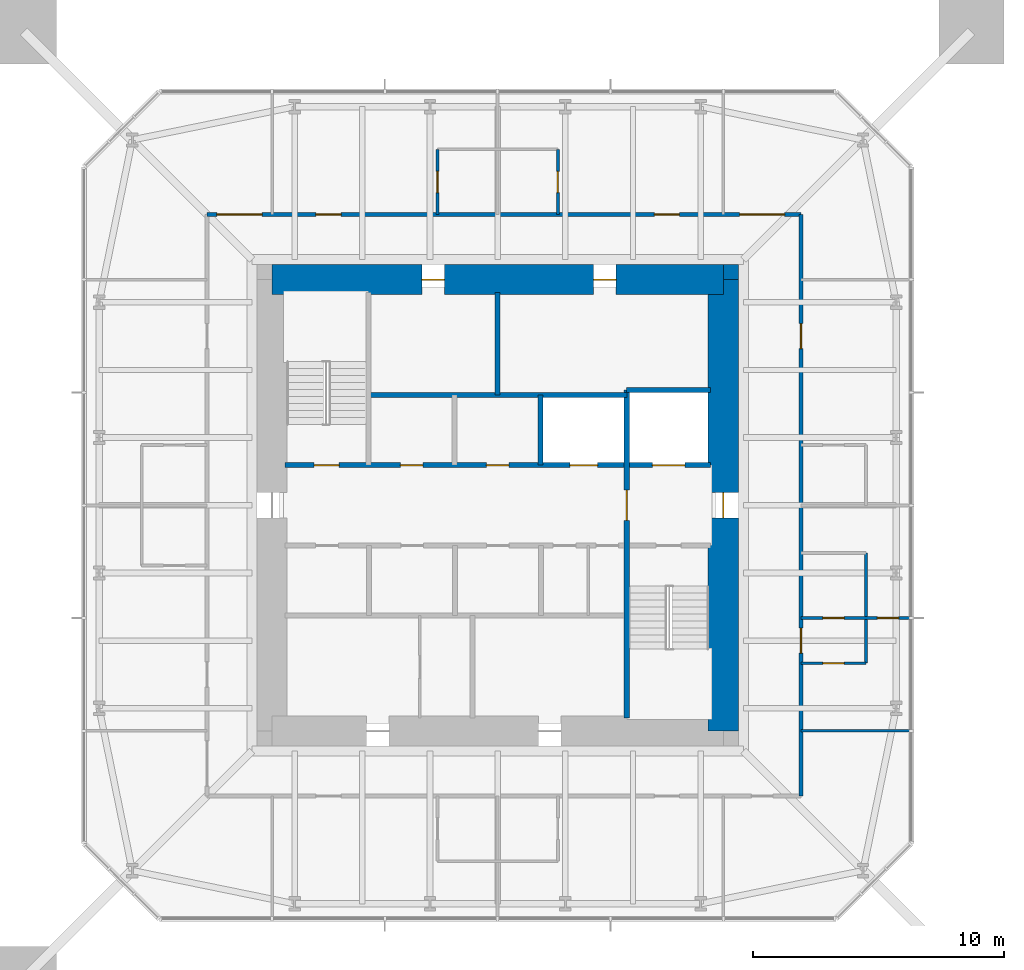
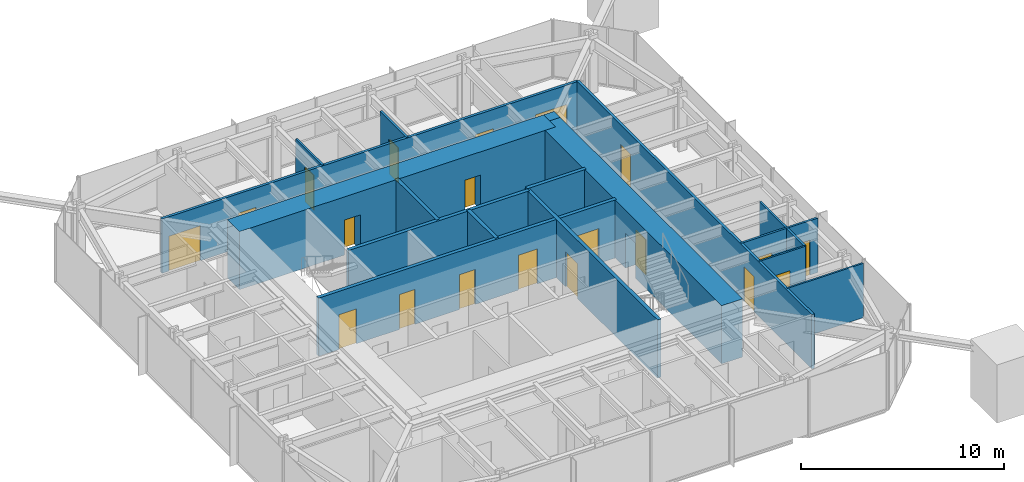
# One storey, part 7 of 9: 20 doors, 17 walls, 20 openings.
"""IFC4 building model written with IfcOpenShell, lengths in metres."""

from ifc_helpers import new_model, si_unit, direction, frame, frame_2d, origin, place, context, subcontext, project, spatial, rectangle, extrude, material, layer, layer_set, type_object, element, fill, save


model = new_model("IFC4")

# Units and contexts
model_context = context("Model", 3, precision=1e-05, world=origin(), true_north=direction((0.0, 1.0)))
body_context = subcontext(model_context, "Body", "Model", "MODEL_VIEW")
ifc_project = project(units=[si_unit("LENGTHUNIT", "METRE"), si_unit("AREAUNIT", "SQUARE_METRE"), si_unit("VOLUMEUNIT", "CUBIC_METRE"), si_unit("PLANEANGLEUNIT", "RADIAN"), si_unit("MASSUNIT", "GRAM", prefix="KILO")], contexts=[model_context])

# Site, building, storey
site_placement = place(None, origin())
site = spatial("IfcSite", under=ifc_project, at=site_placement, CompositionType="ELEMENT")
building_placement = place(site_placement, origin())
building = spatial("IfcBuilding", under=site, at=building_placement, Name="Iwan Alto Co-Living Towers", CompositionType="ELEMENT")
storey_placement = place(building_placement, frame((0.0, 0.0, 250.0)))
storey = spatial("IfcBuildingStorey", under=building, at=storey_placement, Name="L68", CompositionType="ELEMENT", Elevation=250.0)

# Wall, openings, doors
ifc_material_1 = material(Name="Gypsum board")
ifc_layer_1 = layer(ifc_material_1, 0.02490234375, Name="Board", Category="Finish")
ifc_material_2 = material(Name="Steel ASTM A1003 ST33H cold-formed studs", Category="steel")
ifc_layer_2 = layer(ifc_material_2, 0.10009765625, Name="Studs", Category="Framing")
ifc_layer_3 = layer(ifc_material_1, 0.02490234375, Name="Board", Category="Finish")
ifc_layer_set_1 = layer_set([ifc_layer_1, ifc_layer_2, ifc_layer_3], Name="CORRIDOR WALL 150")
wall_type_1 = type_object("IfcWallType", Name="CORRIDOR WALL 150", PredefinedType="PARTITIONING", material=ifc_layer_set_1)
wall_1_placement = place(storey_placement, frame((-11.60009765625, 11.60009765625, 0.0), z_axis=(0.0, 0.0, 1.0), x_axis=(1.0, 0.0, 0.0)))
wall_1 = element("IfcWall", 1, at=wall_1_placement, inside=storey, type_object=wall_type_1, Name="Partition L68", PredefinedType="PARTITIONING", context=body_context, shape_type="SweptSolid", body=[
    extrude(rectangle(XDim=23.7001953125, YDim=0.14990234375, at=frame_2d((11.85009765625, 0.0))), origin(), (0.0, 0.0, 1.0), 3.27001953125),
])
opening_1_placement = place(wall_1_placement, frame((17.85009765625, 0.0, 0.0)))
opening_1 = element("IfcOpeningElement", 2, at=opening_1_placement, cuts=wall_1, Name="Opening D3", PredefinedType="OPENING", context=body_context, shape_type="SweptSolid", body=[
    extrude(rectangle(XDim=1.0, YDim=2.10009765625, at=frame_2d((0.5, 1.050048828125))), frame((0.0, 0.0849609375, 0.0), z_axis=(0.0, -1.0, 0.0), x_axis=(1.0, 0.0, 0.0)), (0.0, 0.0, 1.0), 0.169921875),
])
opening_2_placement = place(wall_1_placement, frame((4.35009765625, 0.0, 0.0)))
opening_2 = element("IfcOpeningElement", 3, at=opening_2_placement, cuts=wall_1, Name="Opening D3", PredefinedType="OPENING", context=body_context, shape_type="SweptSolid", body=[
    extrude(rectangle(XDim=1.0, YDim=2.10009765625, at=frame_2d((0.5, 1.050048828125))), frame((0.0, 0.0849609375, 0.0), z_axis=(0.0, -1.0, 0.0), x_axis=(1.0, 0.0, 0.0)), (0.0, 0.0, 1.0), 0.169921875),
])
opening_3_placement = place(wall_1_placement, frame((0.39990234375, 0.0, 0.0)))
opening_3 = element("IfcOpeningElement", 4, at=opening_3_placement, cuts=wall_1, Name="Opening D9", PredefinedType="OPENING", context=body_context, shape_type="SweptSolid", body=[
    extrude(rectangle(XDim=1.800048828125, YDim=2.10009765625, at=frame_2d((0.89990234375, 1.050048828125))), frame((0.0, 0.0849609375, 0.0), z_axis=(0.0, -1.0, 0.0), x_axis=(1.0, 0.0, 0.0)), (0.0, 0.0, 1.0), 0.169921875),
])
opening_4_placement = place(wall_1_placement, frame((21.25, 0.0, 0.0)))
opening_4 = element("IfcOpeningElement", 5, at=opening_4_placement, cuts=wall_1, Name="Opening D9", PredefinedType="OPENING", context=body_context, shape_type="SweptSolid", body=[
    extrude(rectangle(XDim=1.800048828125, YDim=2.10009765625, at=frame_2d((0.89990234375, 1.050048828125))), frame((0.0, 0.0849609375, 0.0), z_axis=(0.0, -1.0, 0.0), x_axis=(1.0, 0.0, 0.0)), (0.0, 0.0, 1.0), 0.169921875),
])
ifc_material_3 = material(Name="Steel frame with timber leaf", Category="steel")
door_type_1 = type_object("IfcDoorType", Name="FLAT ENTRANCE DOOR FD30S 1000X2100", OperationType="SINGLE_SWING_LEFT", PredefinedType="DOOR", material=ifc_material_3)
door_1_placement = place(opening_1_placement, origin())
door_1 = element("IfcDoor", 6, at=door_1_placement, inside=storey, type_object=door_type_1, Name="Studio door L68", OperationType="SINGLE_SWING_RIGHT", OverallHeight=2.10009765625, OverallWidth=1.0, PredefinedType="DOOR", context=body_context, shape_type="SweptSolid", body=[
    extrude(rectangle(XDim=1.0, YDim=2.10009765625, at=frame_2d((0.5, 1.050048828125))), frame((0.0, 0.02490234375, 0.0), z_axis=(0.0, -1.0, 0.0), x_axis=(1.0, 0.0, 0.0)), (0.0, 0.0, 1.0), 0.050048828125),
])
fill(opening_1, door_1)
door_2_placement = place(opening_2_placement, origin())
door_2 = element("IfcDoor", 7, at=door_2_placement, inside=storey, type_object=door_type_1, Name="Studio door L68", OperationType="SINGLE_SWING_LEFT", OverallHeight=2.10009765625, OverallWidth=1.0, PredefinedType="DOOR", context=body_context, shape_type="SweptSolid", body=[
    extrude(rectangle(XDim=1.0, YDim=2.10009765625, at=frame_2d((0.5, 1.050048828125))), frame((0.0, 0.02490234375, 0.0), z_axis=(0.0, -1.0, 0.0), x_axis=(1.0, 0.0, 0.0)), (0.0, 0.0, 1.0), 0.050048828125),
])
fill(opening_2, door_2)
ifc_material_4 = material(Name="Steel frame with timber leaf", Category="steel")
door_type_2 = type_object("IfcDoorType", Name="LOUNGE DOOR FD30S 1800X2100", OperationType="DOUBLE_DOOR_SINGLE_SWING", PredefinedType="DOOR", material=ifc_material_4)
door_3_placement = place(opening_3_placement, origin())
door_3 = element("IfcDoor", 8, at=door_3_placement, inside=storey, type_object=door_type_2, Name="Courtyard lounge door L68", OperationType="DOUBLE_DOOR_SINGLE_SWING", OverallHeight=2.10009765625, OverallWidth=1.800048828125, PredefinedType="DOOR", context=body_context, shape_type="SweptSolid", body=[
    extrude(rectangle(XDim=1.800048828125, YDim=2.10009765625, at=frame_2d((0.89990234375, 1.050048828125))), frame((0.0, 0.02490234375, 0.0), z_axis=(0.0, -1.0, 0.0), x_axis=(1.0, 0.0, 0.0)), (0.0, 0.0, 1.0), 0.050048828125),
])
fill(opening_3, door_3)
door_4_placement = place(opening_4_placement, origin())
door_4 = element("IfcDoor", 9, at=door_4_placement, inside=storey, type_object=door_type_2, Name="Study lounge door L68", OperationType="DOUBLE_DOOR_SINGLE_SWING", OverallHeight=2.10009765625, OverallWidth=1.800048828125, PredefinedType="DOOR", context=body_context, shape_type="SweptSolid", body=[
    extrude(rectangle(XDim=1.800048828125, YDim=2.10009765625, at=frame_2d((0.89990234375, 1.050048828125))), frame((0.0, 0.02490234375, 0.0), z_axis=(0.0, -1.0, 0.0), x_axis=(1.0, 0.0, 0.0)), (0.0, 0.0, 1.0), 0.050048828125),
])
fill(opening_4, door_4)

wall_2_placement = place(storey_placement, frame((12.10009765625, -11.60009765625, 0.0), z_axis=(0.0, 0.0, 1.0), x_axis=(0.0, 1.0, 0.0)))
wall_2 = element("IfcWall", 10, at=wall_2_placement, inside=storey, type_object=wall_type_1, Name="Partition L68", PredefinedType="PARTITIONING", context=body_context, shape_type="SweptSolid", body=[
    extrude(rectangle(XDim=23.2001953125, YDim=0.14990234375, at=frame_2d((11.60009765625, 0.0))), origin(), (0.0, 0.0, 1.0), 3.27001953125),
])
opening_5_placement = place(wall_2_placement, frame((5.699951171875, 0.0, 0.0)))
opening_5 = element("IfcOpeningElement", 11, at=opening_5_placement, cuts=wall_2, Name="Opening D3", PredefinedType="OPENING", context=body_context, shape_type="SweptSolid", body=[
    extrude(rectangle(XDim=1.0, YDim=2.10009765625, at=frame_2d((0.5, 1.050048828125))), frame((0.0, 0.0849609375, 0.0), z_axis=(0.0, -1.0, 0.0), x_axis=(1.0, 0.0, 0.0)), (0.0, 0.0, 1.0), 0.169921875),
])
opening_6_placement = place(wall_2_placement, frame((17.85009765625, 0.0, 0.0)))
opening_6 = element("IfcOpeningElement", 12, at=opening_6_placement, cuts=wall_2, Name="Opening D3", PredefinedType="OPENING", context=body_context, shape_type="SweptSolid", body=[
    extrude(rectangle(XDim=1.0, YDim=2.10009765625, at=frame_2d((0.5, 1.050048828125))), frame((0.0, 0.0849609375, 0.0), z_axis=(0.0, -1.0, 0.0), x_axis=(1.0, 0.0, 0.0)), (0.0, 0.0, 1.0), 0.169921875),
])
door_5_placement = place(opening_5_placement, frame((1.0, 0.0, 0.0), z_axis=(0.0, 0.0, 1.0), x_axis=(-1.0, 0.0, 0.0)))
door_5 = element("IfcDoor", 13, at=door_5_placement, inside=storey, type_object=door_type_1, Name="Apartment foyer door L68", OperationType="SINGLE_SWING_RIGHT", OverallHeight=2.10009765625, OverallWidth=1.0, PredefinedType="DOOR", context=body_context, shape_type="SweptSolid", body=[
    extrude(rectangle(XDim=1.0, YDim=2.10009765625, at=frame_2d((0.5, 1.050048828125))), frame((0.0, 0.02490234375, 0.0), z_axis=(0.0, -1.0, 0.0), x_axis=(1.0, 0.0, 0.0)), (0.0, 0.0, 1.0), 0.050048828125),
])
fill(opening_5, door_5)
door_6_placement = place(opening_6_placement, frame((1.0, 0.0, 0.0), z_axis=(0.0, 0.0, 1.0), x_axis=(-1.0, 0.0, 0.0)))
door_6 = element("IfcDoor", 14, at=door_6_placement, inside=storey, type_object=door_type_1, Name="Studio door L68", OperationType="SINGLE_SWING_LEFT", OverallHeight=2.10009765625, OverallWidth=1.0, PredefinedType="DOOR", context=body_context, shape_type="SweptSolid", body=[
    extrude(rectangle(XDim=1.0, YDim=2.10009765625, at=frame_2d((0.5, 1.050048828125))), frame((0.0, 0.02490234375, 0.0), z_axis=(0.0, -1.0, 0.0), x_axis=(1.0, 0.0, 0.0)), (0.0, 0.0, 1.0), 0.050048828125),
])
fill(opening_6, door_6)

# Wall
ifc_layer_4 = layer(ifc_material_1, 0.012451171875, Name="Board", Category="Finish")
ifc_layer_5 = layer(ifc_material_2, 0.074951171875, Name="Studs", Category="Framing")
ifc_layer_6 = layer(ifc_material_1, 0.012451171875, Name="Board", Category="Finish")
ifc_layer_set_2 = layer_set([ifc_layer_4, ifc_layer_5, ifc_layer_6], Name="PARTITION 100")
wall_type_2 = type_object("IfcWallType", Name="PARTITION 100", PredefinedType="PARTITIONING", material=ifc_layer_set_2)
wall_3_placement = place(storey_placement, frame((12.10009765625, -9.0, 0.0), z_axis=(0.0, 0.0, 1.0), x_axis=(1.0, 0.0, 0.0)))
element("IfcWall", 15, at=wall_3_placement, inside=storey, type_object=wall_type_2, Name="Partition L68", PredefinedType="PARTITIONING", context=body_context, shape_type="SweptSolid", body=[
    extrude(rectangle(XDim=4.33984375, YDim=0.10009765625, at=frame_2d((2.169921875, 0.0))), origin(), (0.0, 0.0, 1.0), 3.27001953125),
])

# Wall, opening, door
wall_4_placement = place(storey_placement, frame((12.10009765625, -6.300048828125, 0.0), z_axis=(0.0, 0.0, 1.0), x_axis=(1.0, 0.0, 0.0)))
wall_4 = element("IfcWall", 16, at=wall_4_placement, inside=storey, type_object=wall_type_2, Name="Partition L68", PredefinedType="PARTITIONING", context=body_context, shape_type="SweptSolid", body=[
    extrude(rectangle(XDim=2.599853515625, YDim=0.10009765625, at=frame_2d((1.2998046875, 0.0))), origin(), (0.0, 0.0, 1.0), 3.27001953125),
])
opening_7_placement = place(wall_4_placement, frame((0.875, 0.0, 0.0)))
opening_7 = element("IfcOpeningElement", 17, at=opening_7_placement, cuts=wall_4, Name="Opening D2", PredefinedType="OPENING", context=body_context, shape_type="SweptSolid", body=[
    extrude(rectangle(XDim=0.85009765625, YDim=2.10009765625, at=frame_2d((0.425048828125, 1.050048828125))), frame((0.0, 0.06005859375, 0.0), z_axis=(0.0, -1.0, 0.0), x_axis=(1.0, 0.0, 0.0)), (0.0, 0.0, 1.0), 0.1201171875),
])
ifc_material_5 = material(Name="Timber leaf in steel frame", Category="steel")
door_type_3 = type_object("IfcDoorType", Name="ROOM DOOR 850X2100", OperationType="SINGLE_SWING_LEFT", PredefinedType="DOOR", material=ifc_material_5)
door_7_placement = place(opening_7_placement, frame((0.85009765625, 0.0, 0.0), z_axis=(0.0, 0.0, 1.0), x_axis=(-1.0, 0.0, 0.0)))
door_7 = element("IfcDoor", 18, at=door_7_placement, inside=storey, type_object=door_type_3, Name="Apartment foyer door L68", OperationType="SINGLE_SWING_RIGHT", OverallHeight=2.10009765625, OverallWidth=0.85009765625, PredefinedType="DOOR", context=body_context, shape_type="SweptSolid", body=[
    extrude(rectangle(XDim=0.85009765625, YDim=2.10009765625, at=frame_2d((0.425048828125, 1.050048828125))), frame((0.0, 0.02490234375, 0.0), z_axis=(0.0, -1.0, 0.0), x_axis=(1.0, 0.0, 0.0)), (0.0, 0.0, 1.0), 0.050048828125),
])
fill(opening_7, door_7)

# Wall, openings, doors
ifc_material_6 = material(Name="Concrete f'c 70 MPa", Category="concrete")
ifc_layer_7 = layer(ifc_material_6, 0.199951171875)
ifc_layer_set_3 = layer_set([ifc_layer_7], Name="SHAFT WALL 200")
wall_type_3 = type_object("IfcWallType", Name="SHAFT WALL 200", PredefinedType="SOLIDWALL", material=ifc_layer_set_3)
wall_5_placement = place(storey_placement, frame((-8.489990234375, 1.60009765625, 0.0), z_axis=(0.0, 0.0, 1.0), x_axis=(1.0, 0.0, 0.0)))
wall_5 = element("IfcWall", 19, at=wall_5_placement, inside=storey, type_object=wall_type_3, Name="Shaft wall L68", PredefinedType="SOLIDWALL", context=body_context, shape_type="SweptSolid", body=[
    extrude(rectangle(XDim=16.97998046875, YDim=0.199951171875, at=frame_2d((8.489990234375, 0.0))), origin(), (0.0, 0.0, 1.0), 3.5),
])
opening_8_placement = place(wall_5_placement, frame((1.169921875, 0.0, 0.0)))
opening_8 = element("IfcOpeningElement", 20, at=opening_8_placement, cuts=wall_5, Name="Opening D5", PredefinedType="OPENING", context=body_context, shape_type="SweptSolid", body=[
    extrude(rectangle(XDim=1.0, YDim=2.10009765625, at=frame_2d((0.5, 1.050048828125))), frame((0.0, 0.10986328125, 0.0), z_axis=(0.0, -1.0, 0.0), x_axis=(1.0, 0.0, 0.0)), (0.0, 0.0, 1.0), 0.219970703125),
])
opening_9_placement = place(wall_5_placement, frame((4.60595703125, 0.0, 0.0)))
opening_9 = element("IfcOpeningElement", 21, at=opening_9_placement, cuts=wall_5, Name="Opening D15", PredefinedType="OPENING", context=body_context, shape_type="SweptSolid", body=[
    extrude(rectangle(XDim=0.89990234375, YDim=2.10009765625, at=frame_2d((0.449951171875, 1.050048828125))), frame((0.0, 0.10986328125, 0.0), z_axis=(0.0, -1.0, 0.0), x_axis=(1.0, 0.0, 0.0)), (0.0, 0.0, 1.0), 0.219970703125),
])
opening_10_placement = place(wall_5_placement, frame((8.0400390625, 0.0, 0.0)))
opening_10 = element("IfcOpeningElement", 22, at=opening_10_placement, cuts=wall_5, Name="Opening D15", PredefinedType="OPENING", context=body_context, shape_type="SweptSolid", body=[
    extrude(rectangle(XDim=0.89990234375, YDim=2.10009765625, at=frame_2d((0.449951171875, 1.050048828125))), frame((0.0, 0.10986328125, 0.0), z_axis=(0.0, -1.0, 0.0), x_axis=(1.0, 0.0, 0.0)), (0.0, 0.0, 1.0), 0.219970703125),
])
opening_11_placement = place(wall_5_placement, frame((11.3740234375, 0.0, 0.0)))
opening_11 = element("IfcOpeningElement", 23, at=opening_11_placement, cuts=wall_5, Name="Opening LD", PredefinedType="OPENING", context=body_context, shape_type="SweptSolid", body=[
    extrude(rectangle(XDim=1.10009765625, YDim=2.10009765625, at=frame_2d((0.550048828125, 1.050048828125))), frame((0.0, 0.10986328125, 0.0), z_axis=(0.0, -1.0, 0.0), x_axis=(1.0, 0.0, 0.0)), (0.0, 0.0, 1.0), 0.219970703125),
])
opening_12_placement = place(wall_5_placement, frame((14.659912109375, 0.0, 0.0)))
opening_12 = element("IfcOpeningElement", 24, at=opening_12_placement, cuts=wall_5, Name="Opening LD2", PredefinedType="OPENING", context=body_context, shape_type="SweptSolid", body=[
    extrude(rectangle(XDim=1.300048828125, YDim=2.10009765625, at=frame_2d((0.64990234375, 1.050048828125))), frame((0.0, 0.10986328125, 0.0), z_axis=(0.0, -1.0, 0.0), x_axis=(1.0, 0.0, 0.0)), (0.0, 0.0, 1.0), 0.219970703125),
])
ifc_material_7 = material(Name="Steel frame with timber leaf", Category="steel")
door_type_4 = type_object("IfcDoorType", Name="CORE ROOM DOOR FD60S 900X2100", OperationType="SINGLE_SWING_LEFT", PredefinedType="DOOR", material=ifc_material_7)
door_8_placement = place(opening_9_placement, origin())
door_8 = element("IfcDoor", 25, at=door_8_placement, inside=storey, type_object=door_type_4, Name="Comms room door L68", OperationType="SINGLE_SWING_LEFT", OverallHeight=2.10009765625, OverallWidth=0.89990234375, PredefinedType="DOOR", context=body_context, shape_type="SweptSolid", body=[
    extrude(rectangle(XDim=0.89990234375, YDim=2.10009765625, at=frame_2d((0.449951171875, 1.050048828125))), frame((0.0, 0.02490234375, 0.0), z_axis=(0.0, -1.0, 0.0), x_axis=(1.0, 0.0, 0.0)), (0.0, 0.0, 1.0), 0.050048828125),
])
fill(opening_9, door_8)
door_9_placement = place(opening_10_placement, origin())
door_9 = element("IfcDoor", 26, at=door_9_placement, inside=storey, type_object=door_type_4, Name="Bulk store door L68", OperationType="SINGLE_SWING_LEFT", OverallHeight=2.10009765625, OverallWidth=0.89990234375, PredefinedType="DOOR", context=body_context, shape_type="SweptSolid", body=[
    extrude(rectangle(XDim=0.89990234375, YDim=2.10009765625, at=frame_2d((0.449951171875, 1.050048828125))), frame((0.0, 0.02490234375, 0.0), z_axis=(0.0, -1.0, 0.0), x_axis=(1.0, 0.0, 0.0)), (0.0, 0.0, 1.0), 0.050048828125),
])
fill(opening_10, door_9)
ifc_material_8 = material(Name="Steel frame with timber leaf", Category="steel")
door_type_5 = type_object("IfcDoorType", Name="LIFT LANDING DOOR 1100X2100", OperationType="DOUBLE_DOOR_SLIDING", PredefinedType="DOOR", material=ifc_material_8)
door_10_placement = place(opening_11_placement, origin())
door_10 = element("IfcDoor", 27, at=door_10_placement, inside=storey, type_object=door_type_5, Name="Lift P4-3 landing door L68", OperationType="DOUBLE_DOOR_SLIDING", OverallHeight=2.10009765625, OverallWidth=1.10009765625, PredefinedType="DOOR", context=body_context, shape_type="SweptSolid", body=[
    extrude(rectangle(XDim=1.10009765625, YDim=2.10009765625, at=frame_2d((0.550048828125, 1.050048828125))), frame((0.0, 0.02490234375, 0.0), z_axis=(0.0, -1.0, 0.0), x_axis=(1.0, 0.0, 0.0)), (0.0, 0.0, 1.0), 0.050048828125),
])
fill(opening_11, door_10)
ifc_material_9 = material(Name="Steel frame with timber leaf", Category="steel")
door_type_6 = type_object("IfcDoorType", Name="LIFT LANDING DOOR 1300X2100", OperationType="SLIDING_TO_LEFT", PredefinedType="DOOR", material=ifc_material_9)
door_11_placement = place(opening_12_placement, origin())
door_11 = element("IfcDoor", 28, at=door_11_placement, inside=storey, type_object=door_type_6, Name="Lift FL1 landing door L68", OperationType="SLIDING_TO_LEFT", OverallHeight=2.10009765625, OverallWidth=1.300048828125, PredefinedType="DOOR", context=body_context, shape_type="SweptSolid", body=[
    extrude(rectangle(XDim=1.300048828125, YDim=2.10009765625, at=frame_2d((0.64990234375, 1.050048828125))), frame((0.0, 0.02490234375, 0.0), z_axis=(0.0, -1.0, 0.0), x_axis=(1.0, 0.0, 0.0)), (0.0, 0.0, 1.0), 0.050048828125),
])
fill(opening_12, door_11)
ifc_material_10 = material(Name="Steel frame with timber leaf", Category="steel")
door_type_7 = type_object("IfcDoorType", Name="STAIR DOOR FD120S 1000X2100", OperationType="SINGLE_SWING_LEFT", PredefinedType="DOOR", material=ifc_material_10)
door_12_placement = place(opening_8_placement, origin())
door_12 = element("IfcDoor", 29, at=door_12_placement, inside=storey, type_object=door_type_7, Name="Stair S1 door L68", OperationType="SINGLE_SWING_RIGHT", OverallHeight=2.10009765625, OverallWidth=1.0, PredefinedType="DOOR", context=body_context, shape_type="SweptSolid", body=[
    extrude(rectangle(XDim=1.0, YDim=2.10009765625, at=frame_2d((0.5, 1.050048828125))), frame((0.0, 0.02490234375, 0.0), z_axis=(0.0, -1.0, 0.0), x_axis=(1.0, 0.0, 0.0)), (0.0, 0.0, 1.0), 0.050048828125),
])
fill(opening_8, door_12)

# Walls
wall_6_placement = place(storey_placement, frame((-5.14990234375, 4.39990234375, 0.0), z_axis=(0.0, 0.0, 1.0), x_axis=(1.0, 0.0, 0.0)))
element("IfcWall", 30, at=wall_6_placement, inside=storey, type_object=wall_type_3, Name="Shaft wall L68", PredefinedType="SOLIDWALL", context=body_context, shape_type="SweptSolid", body=[
    extrude(rectangle(XDim=10.2998046875, YDim=0.199951171875, at=frame_2d((5.14990234375, 0.0))), origin(), (0.0, 0.0, 1.0), 3.5),
])
wall_7_placement = place(storey_placement, frame((5.14990234375, 4.60009765625, 0.0), z_axis=(0.0, 0.0, 1.0), x_axis=(1.0, 0.0, 0.0)))
element("IfcWall", 31, at=wall_7_placement, inside=storey, type_object=wall_type_3, Name="Shaft wall L68", PredefinedType="SOLIDWALL", context=body_context, shape_type="SweptSolid", body=[
    extrude(rectangle(XDim=3.340087890625, YDim=0.199951171875, at=frame_2d((1.669921875, 0.0))), origin(), (0.0, 0.0, 1.0), 3.5),
])

# Wall, opening, door
wall_8_placement = place(storey_placement, frame((5.14990234375, -8.489990234375, 0.0), z_axis=(0.0, 0.0, 1.0), x_axis=(0.0, 1.0, 0.0)))
wall_8 = element("IfcWall", 32, at=wall_8_placement, inside=storey, type_object=wall_type_3, Name="Shaft wall L68", PredefinedType="SOLIDWALL", context=body_context, shape_type="SweptSolid", body=[
    extrude(rectangle(XDim=13.090087890625, YDim=0.199951171875, at=frame_2d((6.544921875, 0.0))), origin(), (0.0, 0.0, 1.0), 3.5),
])
opening_13_placement = place(wall_8_placement, frame((7.889892578125, 0.0, 0.0)))
opening_13 = element("IfcOpeningElement", 33, at=opening_13_placement, cuts=wall_8, Name="Opening D6", PredefinedType="OPENING", context=body_context, shape_type="SweptSolid", body=[
    extrude(rectangle(XDim=1.199951171875, YDim=2.10009765625, at=frame_2d((0.60009765625, 1.050048828125))), frame((0.0, 0.10986328125, 0.0), z_axis=(0.0, -1.0, 0.0), x_axis=(1.0, 0.0, 0.0)), (0.0, 0.0, 1.0), 0.219970703125),
])
ifc_material_11 = material(Name="Steel frame with timber leaf", Category="steel")
door_type_8 = type_object("IfcDoorType", Name="LOBBY DOOR FD120S 1200X2100", OperationType="SINGLE_SWING_LEFT", PredefinedType="DOOR", material=ifc_material_11)
door_13_placement = place(opening_13_placement, frame((1.199951171875, 0.0, 0.0), z_axis=(0.0, 0.0, 1.0), x_axis=(-1.0, 0.0, 0.0)))
door_13 = element("IfcDoor", 34, at=door_13_placement, inside=storey, type_object=door_type_8, Name="Firefighting lobby door L68", OperationType="SINGLE_SWING_RIGHT", OverallHeight=2.10009765625, OverallWidth=1.199951171875, PredefinedType="DOOR", context=body_context, shape_type="SweptSolid", body=[
    extrude(rectangle(XDim=1.199951171875, YDim=2.10009765625, at=frame_2d((0.60009765625, 1.050048828125))), frame((0.0, 0.02490234375, 0.0), z_axis=(0.0, -1.0, 0.0), x_axis=(1.0, 0.0, 0.0)), (0.0, 0.0, 1.0), 0.050048828125),
])
fill(opening_13, door_13)

# Walls
wall_9_placement = place(storey_placement, frame((1.717041015625, 1.60009765625, 0.0), z_axis=(0.0, 0.0, 1.0), x_axis=(0.0, 1.0, 0.0)))
element("IfcWall", 35, at=wall_9_placement, inside=storey, type_object=wall_type_3, Name="Shaft wall L68", PredefinedType="SOLIDWALL", context=body_context, shape_type="SweptSolid", body=[
    extrude(rectangle(XDim=2.7998046875, YDim=0.199951171875, at=frame_2d((1.39990234375, 0.0))), origin(), (0.0, 0.0, 1.0), 3.5),
])
wall_10_placement = place(storey_placement, frame((0.0, 4.39990234375, 0.0), z_axis=(0.0, 0.0, 1.0), x_axis=(0.0, 1.0, 0.0)))
element("IfcWall", 36, at=wall_10_placement, inside=storey, type_object=wall_type_3, Name="Shaft wall L68", PredefinedType="SOLIDWALL", context=body_context, shape_type="SweptSolid", body=[
    extrude(rectangle(XDim=4.090087890625, YDim=0.199951171875, at=frame_2d((2.044921875, 0.0))), origin(), (0.0, 0.0, 1.0), 3.5),
])
ifc_material_12 = material(Name="Concrete f'c 70 MPa", Category="concrete")
ifc_layer_8 = layer(ifc_material_12, 0.60009765625)
ifc_layer_set_4 = layer_set([ifc_layer_8], Name="T1 CORE CORNER FILL 600")
wall_type_4 = type_object("IfcWallType", Name="T1 CORE CORNER FILL 600", PredefinedType="SOLIDWALL", material=ifc_layer_set_4)
wall_11_placement = place(storey_placement, frame((9.0, 9.300048828125, 0.0), z_axis=(0.0, 0.0, 1.0), x_axis=(1.0, 0.0, 0.0)))
element("IfcWall", 37, at=wall_11_placement, inside=storey, type_object=wall_type_4, Name="T1 core corner NE L68", PredefinedType="SOLIDWALL", context=body_context, shape_type="SweptSolid", body=[
    extrude(rectangle(XDim=0.60009765625, YDim=0.60009765625, at=frame_2d((0.300048828125, 0.0))), origin(), (0.0, 0.0, 1.0), 3.5),
])

# Wall, openings, doors
ifc_material_13 = material(Name="Concrete f'c 70 MPa", Category="concrete")
ifc_layer_9 = layer(ifc_material_13, 1.199951171875)
ifc_layer_set_5 = layer_set([ifc_layer_9], Name="T1 CORE WALL 1200")
wall_type_5 = type_object("IfcWallType", Name="T1 CORE WALL 1200", PredefinedType="SHEAR", material=ifc_layer_set_5)
wall_12_placement = place(storey_placement, frame((9.0, 9.0, 0.0), z_axis=(0.0, 0.0, 1.0), x_axis=(-1.0, 0.0, 0.0)))
wall_12 = element("IfcWall", 38, at=wall_12_placement, inside=storey, type_object=wall_type_5, Name="T1 core wall N L68", PredefinedType="SHEAR", context=body_context, shape_type="SweptSolid", body=[
    extrude(rectangle(XDim=18.0, YDim=1.199951171875, at=frame_2d((9.0, 0.0))), origin(), (0.0, 0.0, 1.0), 3.5),
])
opening_14_placement = place(wall_12_placement, frame((11.125, 0.0, 0.0)))
opening_14 = element("IfcOpeningElement", 39, at=opening_14_placement, cuts=wall_12, Name="Opening D8", PredefinedType="OPENING", context=body_context, shape_type="SweptSolid", body=[
    extrude(rectangle(XDim=0.89990234375, YDim=2.10009765625, at=frame_2d((0.449951171875, 1.050048828125))), frame((0.0, 0.60986328125, 0.0), z_axis=(0.0, -1.0, 0.0), x_axis=(1.0, 0.0, 0.0)), (0.0, 0.0, 1.0), 1.219970703125),
])
opening_15_placement = place(wall_12_placement, frame((4.27490234375, 0.0, 0.0)))
opening_15 = element("IfcOpeningElement", 40, at=opening_15_placement, cuts=wall_12, Name="Opening D8", PredefinedType="OPENING", context=body_context, shape_type="SweptSolid", body=[
    extrude(rectangle(XDim=0.89990234375, YDim=2.10009765625, at=frame_2d((0.449951171875, 1.050048828125))), frame((0.0, 0.60986328125, 0.0), z_axis=(0.0, -1.0, 0.0), x_axis=(1.0, 0.0, 0.0)), (0.0, 0.0, 1.0), 1.219970703125),
])
ifc_material_14 = material(Name="Steel frame with timber leaf", Category="steel")
door_type_9 = type_object("IfcDoorType", Name="RISER DOOR FD120 900X2100", OperationType="SINGLE_SWING_LEFT", PredefinedType="DOOR", material=ifc_material_14)
door_14_placement = place(opening_14_placement, origin())
door_14 = element("IfcDoor", 41, at=door_14_placement, inside=storey, type_object=door_type_9, Name="Electrical riser core door L68", OperationType="SINGLE_SWING_RIGHT", OverallHeight=2.10009765625, OverallWidth=0.89990234375, PredefinedType="DOOR", context=body_context, shape_type="SweptSolid", body=[
    extrude(rectangle(XDim=0.89990234375, YDim=2.10009765625, at=frame_2d((0.449951171875, 1.050048828125))), frame((0.0, 0.02490234375, 0.0), z_axis=(0.0, -1.0, 0.0), x_axis=(1.0, 0.0, 0.0)), (0.0, 0.0, 1.0), 0.050048828125),
])
fill(opening_14, door_14)
door_15_placement = place(opening_15_placement, origin())
door_15 = element("IfcDoor", 42, at=door_15_placement, inside=storey, type_object=door_type_9, Name="Water and drainage riser core door L68", OperationType="SINGLE_SWING_RIGHT", OverallHeight=2.10009765625, OverallWidth=0.89990234375, PredefinedType="DOOR", context=body_context, shape_type="SweptSolid", body=[
    extrude(rectangle(XDim=0.89990234375, YDim=2.10009765625, at=frame_2d((0.449951171875, 1.050048828125))), frame((0.0, 0.02490234375, 0.0), z_axis=(0.0, -1.0, 0.0), x_axis=(1.0, 0.0, 0.0)), (0.0, 0.0, 1.0), 0.050048828125),
])
fill(opening_15, door_15)

# Wall, opening, door
wall_13_placement = place(storey_placement, frame((9.0, -9.0, 0.0), z_axis=(0.0, 0.0, 1.0), x_axis=(0.0, 1.0, 0.0)))
wall_13 = element("IfcWall", 43, at=wall_13_placement, inside=storey, type_object=wall_type_5, Name="T1 core wall E L68", PredefinedType="SHEAR", context=body_context, shape_type="SweptSolid", body=[
    extrude(rectangle(XDim=18.0, YDim=1.199951171875, at=frame_2d((9.0, 0.0))), origin(), (0.0, 0.0, 1.0), 3.5),
])
opening_16_placement = place(wall_13_placement, frame((8.5, 0.0, 0.0)))
opening_16 = element("IfcOpeningElement", 44, at=opening_16_placement, cuts=wall_13, Name="Opening D7", PredefinedType="OPENING", context=body_context, shape_type="SweptSolid", body=[
    extrude(rectangle(XDim=1.0, YDim=2.10009765625, at=frame_2d((0.5, 1.050048828125))), frame((0.0, 0.60986328125, 0.0), z_axis=(0.0, -1.0, 0.0), x_axis=(1.0, 0.0, 0.0)), (0.0, 0.0, 1.0), 1.219970703125),
])
ifc_material_15 = material(Name="Steel frame with timber leaf", Category="steel")
door_type_10 = type_object("IfcDoorType", Name="CORE DOOR FD120S 1000X2100", OperationType="SINGLE_SWING_LEFT", PredefinedType="DOOR", material=ifc_material_15)
door_16_placement = place(opening_16_placement, origin())
door_16 = element("IfcDoor", 45, at=door_16_placement, inside=storey, type_object=door_type_10, Name="Firefighting lobby core door L68", OperationType="SINGLE_SWING_LEFT", OverallHeight=2.10009765625, OverallWidth=1.0, PredefinedType="DOOR", context=body_context, shape_type="SweptSolid", body=[
    extrude(rectangle(XDim=1.0, YDim=2.10009765625, at=frame_2d((0.5, 1.050048828125))), frame((0.0, 0.02490234375, 0.0), z_axis=(0.0, -1.0, 0.0), x_axis=(1.0, 0.0, 0.0)), (0.0, 0.0, 1.0), 0.050048828125),
])
fill(opening_16, door_16)

# Wall, openings, doors
ifc_material_16 = material(Name="Cement board")
ifc_layer_10 = layer(ifc_material_16, 0.012451171875, Name="Board", Category="Finish")
ifc_layer_11 = layer(ifc_material_2, 0.094970703125, Name="Studs", Category="Framing")
ifc_layer_12 = layer(ifc_material_16, 0.012451171875, Name="Board", Category="Finish")
ifc_layer_set_6 = layer_set([ifc_layer_10, ifc_layer_11, ifc_layer_12], Name="WET AREA PARTITION 120")
wall_type_6 = type_object("IfcWallType", Name="WET AREA PARTITION 120", PredefinedType="PARTITIONING", material=ifc_layer_set_6)
wall_14_placement = place(storey_placement, frame((12.10009765625, -4.5, 0.0), z_axis=(0.0, 0.0, 1.0), x_axis=(1.0, 0.0, 0.0)))
wall_14 = element("IfcWall", 46, at=wall_14_placement, inside=storey, type_object=wall_type_6, Name="Partition L68", PredefinedType="PARTITIONING", context=body_context, shape_type="SweptSolid", body=[
    extrude(rectangle(XDim=4.33984375, YDim=0.1201171875, at=frame_2d((2.169921875, 0.0))), origin(), (0.0, 0.0, 1.0), 3.27001953125),
])
opening_17_placement = place(wall_14_placement, frame((3.044921875, 0.0, 0.0)))
opening_17 = element("IfcOpeningElement", 47, at=opening_17_placement, cuts=wall_14, Name="Opening D2", PredefinedType="OPENING", context=body_context, shape_type="SweptSolid", body=[
    extrude(rectangle(XDim=0.85009765625, YDim=2.10009765625, at=frame_2d((0.425048828125, 1.050048828125))), frame((0.0, 0.070068359375, 0.0), z_axis=(0.0, -1.0, 0.0), x_axis=(1.0, 0.0, 0.0)), (0.0, 0.0, 1.0), 0.14013671875),
])
opening_18_placement = place(wall_14_placement, frame((0.875, 0.0, 0.0)))
opening_18 = element("IfcOpeningElement", 48, at=opening_18_placement, cuts=wall_14, Name="Opening D2", PredefinedType="OPENING", context=body_context, shape_type="SweptSolid", body=[
    extrude(rectangle(XDim=0.85009765625, YDim=2.10009765625, at=frame_2d((0.425048828125, 1.050048828125))), frame((0.0, 0.070068359375, 0.0), z_axis=(0.0, -1.0, 0.0), x_axis=(1.0, 0.0, 0.0)), (0.0, 0.0, 1.0), 0.14013671875),
])
door_17_placement = place(opening_17_placement, frame((0.85009765625, 0.0, 0.0), z_axis=(0.0, 0.0, 1.0), x_axis=(-1.0, 0.0, 0.0)))
door_17 = element("IfcDoor", 49, at=door_17_placement, inside=storey, type_object=door_type_3, Name="Bedroom door L68", OperationType="SINGLE_SWING_RIGHT", OverallHeight=2.10009765625, OverallWidth=0.85009765625, PredefinedType="DOOR", context=body_context, shape_type="SweptSolid", body=[
    extrude(rectangle(XDim=0.85009765625, YDim=2.10009765625, at=frame_2d((0.425048828125, 1.050048828125))), frame((0.0, 0.02490234375, 0.0), z_axis=(0.0, -1.0, 0.0), x_axis=(1.0, 0.0, 0.0)), (0.0, 0.0, 1.0), 0.050048828125),
])
fill(opening_17, door_17)
door_18_placement = place(opening_18_placement, origin())
door_18 = element("IfcDoor", 50, at=door_18_placement, inside=storey, type_object=door_type_3, Name="Accessible bathroom door L68", OperationType="SINGLE_SWING_LEFT", OverallHeight=2.10009765625, OverallWidth=0.85009765625, PredefinedType="DOOR", context=body_context, shape_type="SweptSolid", body=[
    extrude(rectangle(XDim=0.85009765625, YDim=2.10009765625, at=frame_2d((0.425048828125, 1.050048828125))), frame((0.0, 0.02490234375, 0.0), z_axis=(0.0, -1.0, 0.0), x_axis=(1.0, 0.0, 0.0)), (0.0, 0.0, 1.0), 0.050048828125),
])
fill(opening_18, door_18)

# Wall
wall_15_placement = place(storey_placement, frame((14.699951171875, -6.300048828125, 0.0), z_axis=(0.0, 0.0, 1.0), x_axis=(0.0, 1.0, 0.0)))
element("IfcWall", 51, at=wall_15_placement, inside=storey, type_object=wall_type_6, Name="Partition L68", PredefinedType="PARTITIONING", context=body_context, shape_type="SweptSolid", body=[
    extrude(rectangle(XDim=4.400146484375, YDim=0.1201171875, at=frame_2d((2.2001953125, 0.0))), origin(), (0.0, 0.0, 1.0), 3.27001953125),
])

# Wall, opening, door
wall_16_placement = place(storey_placement, frame((2.39990234375, 11.60009765625, 0.0), z_axis=(0.0, 0.0, 1.0), x_axis=(0.0, 1.0, 0.0)))
wall_16 = element("IfcWall", 52, at=wall_16_placement, inside=storey, type_object=wall_type_6, Name="Partition L68", PredefinedType="PARTITIONING", context=body_context, shape_type="SweptSolid", body=[
    extrude(rectangle(XDim=2.599853515625, YDim=0.1201171875, at=frame_2d((1.2998046875, 0.0))), origin(), (0.0, 0.0, 1.0), 3.27001953125),
])
opening_19_placement = place(wall_16_placement, frame((0.875, 0.0, 0.0)))
opening_19 = element("IfcOpeningElement", 53, at=opening_19_placement, cuts=wall_16, Name="Opening D2", PredefinedType="OPENING", context=body_context, shape_type="SweptSolid", body=[
    extrude(rectangle(XDim=0.85009765625, YDim=2.10009765625, at=frame_2d((0.425048828125, 1.050048828125))), frame((0.0, 0.070068359375, 0.0), z_axis=(0.0, -1.0, 0.0), x_axis=(1.0, 0.0, 0.0)), (0.0, 0.0, 1.0), 0.14013671875),
])
door_19_placement = place(opening_19_placement, frame((0.85009765625, 0.0, 0.0), z_axis=(0.0, 0.0, 1.0), x_axis=(-1.0, 0.0, 0.0)))
door_19 = element("IfcDoor", 54, at=door_19_placement, inside=storey, type_object=door_type_3, Name="En-suite shower room door L68", OperationType="SINGLE_SWING_RIGHT", OverallHeight=2.10009765625, OverallWidth=0.85009765625, PredefinedType="DOOR", context=body_context, shape_type="SweptSolid", body=[
    extrude(rectangle(XDim=0.85009765625, YDim=2.10009765625, at=frame_2d((0.425048828125, 1.050048828125))), frame((0.0, 0.02490234375, 0.0), z_axis=(0.0, -1.0, 0.0), x_axis=(1.0, 0.0, 0.0)), (0.0, 0.0, 1.0), 0.050048828125),
])
fill(opening_19, door_19)

wall_17_placement = place(storey_placement, frame((-2.39990234375, 11.60009765625, 0.0), z_axis=(0.0, 0.0, 1.0), x_axis=(0.0, 1.0, 0.0)))
wall_17 = element("IfcWall", 55, at=wall_17_placement, inside=storey, type_object=wall_type_6, Name="Partition L68", PredefinedType="PARTITIONING", context=body_context, shape_type="SweptSolid", body=[
    extrude(rectangle(XDim=2.599853515625, YDim=0.1201171875, at=frame_2d((1.2998046875, 0.0))), origin(), (0.0, 0.0, 1.0), 3.27001953125),
])
opening_20_placement = place(wall_17_placement, frame((0.875, 0.0, 0.0)))
opening_20 = element("IfcOpeningElement", 56, at=opening_20_placement, cuts=wall_17, Name="Opening D2", PredefinedType="OPENING", context=body_context, shape_type="SweptSolid", body=[
    extrude(rectangle(XDim=0.85009765625, YDim=2.10009765625, at=frame_2d((0.425048828125, 1.050048828125))), frame((0.0, 0.070068359375, 0.0), z_axis=(0.0, -1.0, 0.0), x_axis=(1.0, 0.0, 0.0)), (0.0, 0.0, 1.0), 0.14013671875),
])
door_20_placement = place(opening_20_placement, origin())
door_20 = element("IfcDoor", 57, at=door_20_placement, inside=storey, type_object=door_type_3, Name="En-suite shower room door L68", OperationType="SINGLE_SWING_LEFT", OverallHeight=2.10009765625, OverallWidth=0.85009765625, PredefinedType="DOOR", context=body_context, shape_type="SweptSolid", body=[
    extrude(rectangle(XDim=0.85009765625, YDim=2.10009765625, at=frame_2d((0.425048828125, 1.050048828125))), frame((0.0, 0.02490234375, 0.0), z_axis=(0.0, -1.0, 0.0), x_axis=(1.0, 0.0, 0.0)), (0.0, 0.0, 1.0), 0.050048828125),
])
fill(opening_20, door_20)

save(model, "model.ifc")
